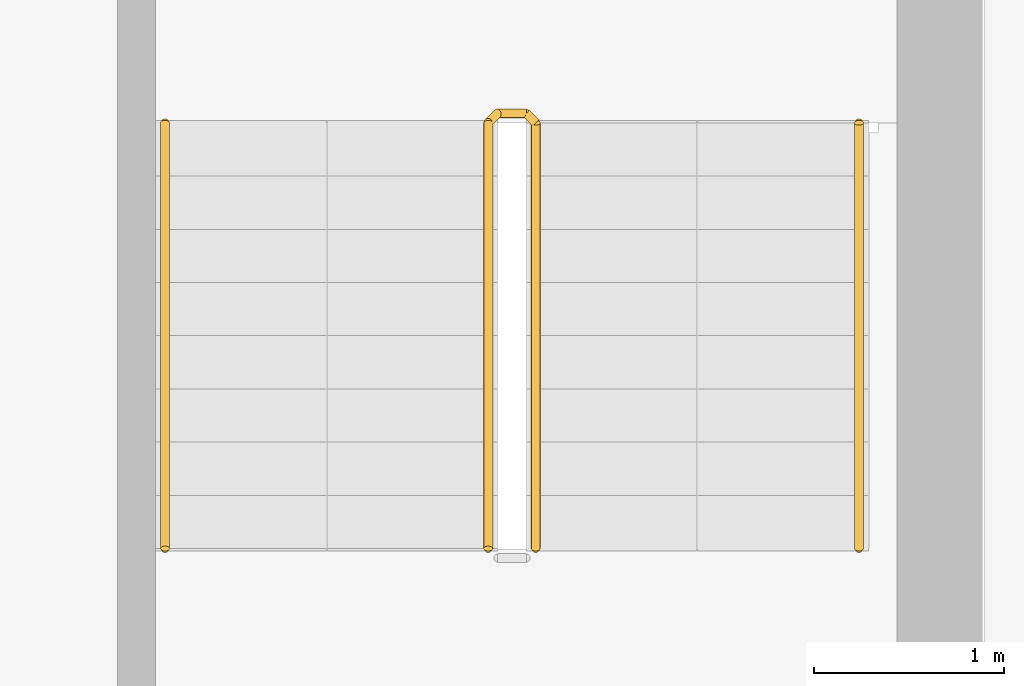
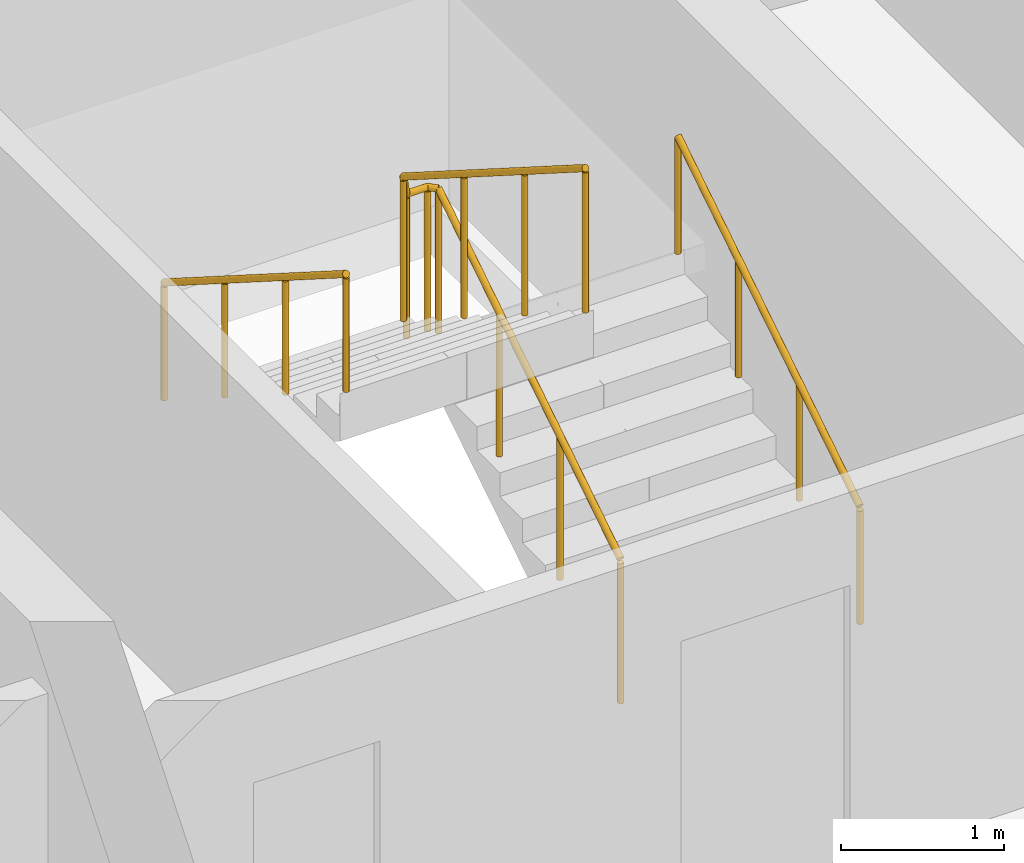
# One storey, part 13 of 13: 3 railings.
"""IFC4 building model written with IfcOpenShell, lengths in metres."""

from ifc_helpers import new_model, si_unit, direction, frame, origin, origin_2d, place, context, subcontext, project, spatial, circle, extrude, material, type_object, element, save


model = new_model("IFC4")

# Units and contexts
model_context = context("Model", 3, precision=1e-05, world=origin(), true_north=direction((0.0, 1.0)))
body_context = subcontext(model_context, "Body", "Model", "MODEL_VIEW")
ifc_project = project(units=[si_unit("LENGTHUNIT", "METRE"), si_unit("AREAUNIT", "SQUARE_METRE"), si_unit("VOLUMEUNIT", "CUBIC_METRE"), si_unit("PLANEANGLEUNIT", "RADIAN"), si_unit("MASSUNIT", "GRAM", prefix="KILO")], contexts=[model_context])

# Site, building, storey
site_placement = place(None, origin())
site = spatial("IfcSite", under=ifc_project, at=site_placement, CompositionType="ELEMENT")
building_placement = place(site_placement, origin())
building = spatial("IfcBuilding", under=site, at=building_placement, Name="Wharfspan Tower", CompositionType="ELEMENT")
storey_placement = place(building_placement, frame((0.0, 0.0, 264.300049)))
storey = spatial("IfcBuildingStorey", under=building, at=storey_placement, Name="L67", CompositionType="ELEMENT", Elevation=264.300049)

# Railings
ifc_material = material(Name="Steel S355J2", Category="steel")
railing_type_1 = type_object("IfcRailingType", Name="Stair guard 1100", PredefinedType="GUARDRAIL", material=ifc_material)
railing_1_placement = place(storey_placement, frame((48.649902, 42.0, 0.177734)))
element("IfcRailing", 1, at=railing_1_placement, inside=storey, type_object=railing_type_1, Name="L67 ST2 stair guard 1", PredefinedType="GUARDRAIL", context=body_context, shape_type="SweptSolid", body=[
    extrude(circle(Radius=0.023926, at=origin_2d()), frame((0.0, 0.0, 1.076172), z_axis=(0.0, 0.844229, 0.535982), x_axis=(-1.0, 0.0, 0.0)), (0.0, 0.0, 1.0), 2.65332),
    extrude(circle(Radius=0.023926, at=origin_2d()), frame((0.0, 2.23999, 2.498047), z_axis=(-0.705376, 0.708834, 0.0), x_axis=(-0.708834, -0.705376, 0.0)), (0.0, 0.0, 1.0), 0.070557),
    extrude(circle(Radius=0.023926, at=origin_2d()), frame((-0.049805, 2.290039, 2.498047), z_axis=(-1.0, 0.0, 0.0), x_axis=(0.0, -1.0, 0.0)), (0.0, 0.0, 1.0), 0.150146),
    extrude(circle(Radius=0.023926, at=origin_2d()), frame((-0.199951, 2.290039, 2.498047), z_axis=(-0.261302, -0.261302, 0.929216), x_axis=(0.707107, -0.707107, 0.0)), (0.0, 0.0, 1.0), 0.19165),
    extrude(circle(Radius=0.023926, at=origin_2d()), frame((-0.25, 2.23999, 2.67627), z_axis=(0.0, -0.844229, 0.535982), x_axis=(1.0, 0.0, 0.0)), (0.0, 0.0, 1.0), 2.65332),
    extrude(circle(Radius=0.020996, at=origin_2d()), origin(), (0.0, 0.0, 1.0), 1.052002),
    extrude(circle(Radius=0.020996, at=origin_2d()), frame((0.0, 0.746582, 0.474121)), (0.0, 0.0, 1.0), 1.052002),
    extrude(circle(Radius=0.020996, at=origin_2d()), frame((0.0, 1.493408, 0.947998)), (0.0, 0.0, 1.0), 1.052002),
    extrude(circle(Radius=0.020996, at=origin_2d()), frame((0.0, 2.23999, 1.422119)), (0.0, 0.0, 1.0), 1.052002),
    extrude(circle(Radius=0.020996, at=origin_2d()), frame((-0.049805, 2.290039, 1.422119)), (0.0, 0.0, 1.0), 1.052002),
    extrude(circle(Radius=0.020996, at=origin_2d()), frame((-0.199951, 2.290039, 1.422119)), (0.0, 0.0, 1.0), 1.052002),
    extrude(circle(Radius=0.020996, at=origin_2d()), frame((-0.25, 2.23999, 1.600098)), (0.0, 0.0, 1.0), 1.052002),
    extrude(circle(Radius=0.020996, at=origin_2d()), frame((-0.25, 1.493408, 2.074219)), (0.0, 0.0, 1.0), 1.052002),
    extrude(circle(Radius=0.020996, at=origin_2d()), frame((-0.25, 0.746582, 2.548096)), (0.0, 0.0, 1.0), 1.052002),
    extrude(circle(Radius=0.020996, at=origin_2d()), frame((-0.25, 0.0, 3.022217)), (0.0, 0.0, 1.0), 1.052002),
])
railing_type_2 = type_object("IfcRailingType", Name="Stair handrail 900", PredefinedType="HANDRAIL", material=ifc_material)
railing_2_placement = place(storey_placement, frame((50.350098, 42.0, 0.177734)))
element("IfcRailing", 2, at=railing_2_placement, inside=storey, type_object=railing_type_2, Name="L67 ST2 stair handrail 1", PredefinedType="HANDRAIL", context=body_context, shape_type="SweptSolid", body=[
    extrude(circle(Radius=0.023926, at=origin_2d()), frame((0.0, 0.0, 0.875977), z_axis=(0.0, 0.844229, 0.535982), x_axis=(-1.0, 0.0, 0.0)), (0.0, 0.0, 1.0), 2.65332),
    extrude(circle(Radius=0.020996, at=origin_2d()), origin(), (0.0, 0.0, 1.0), 0.851807),
    extrude(circle(Radius=0.020996, at=origin_2d()), frame((0.0, 0.746582, 0.474121)), (0.0, 0.0, 1.0), 0.851807),
    extrude(circle(Radius=0.020996, at=origin_2d()), frame((0.0, 1.493408, 0.947998)), (0.0, 0.0, 1.0), 0.851807),
    extrude(circle(Radius=0.020996, at=origin_2d()), frame((0.0, 2.23999, 1.422119)), (0.0, 0.0, 1.0), 0.851807),
])
railing_3_placement = place(storey_placement, frame((46.699951, 44.23999, 1.777832)))
element("IfcRailing", 3, at=railing_3_placement, inside=storey, type_object=railing_type_2, Name="L67 ST2 stair handrail 2", PredefinedType="HANDRAIL", context=body_context, shape_type="SweptSolid", body=[
    extrude(circle(Radius=0.023926, at=origin_2d()), frame((0.0, 0.0, 0.875977), z_axis=(0.0, -0.844229, 0.535982), x_axis=(1.0, 0.0, 0.0)), (0.0, 0.0, 1.0), 2.65332),
    extrude(circle(Radius=0.020996, at=origin_2d()), origin(), (0.0, 0.0, 1.0), 0.851807),
    extrude(circle(Radius=0.020996, at=origin_2d()), frame((0.0, -0.746582, 0.474121)), (0.0, 0.0, 1.0), 0.851807),
    extrude(circle(Radius=0.020996, at=origin_2d()), frame((0.0, -1.493408, 0.947998)), (0.0, 0.0, 1.0), 0.851807),
    extrude(circle(Radius=0.020996, at=origin_2d()), frame((0.0, -2.23999, 1.422119)), (0.0, 0.0, 1.0), 0.851807),
])

save(model, "model.ifc")
